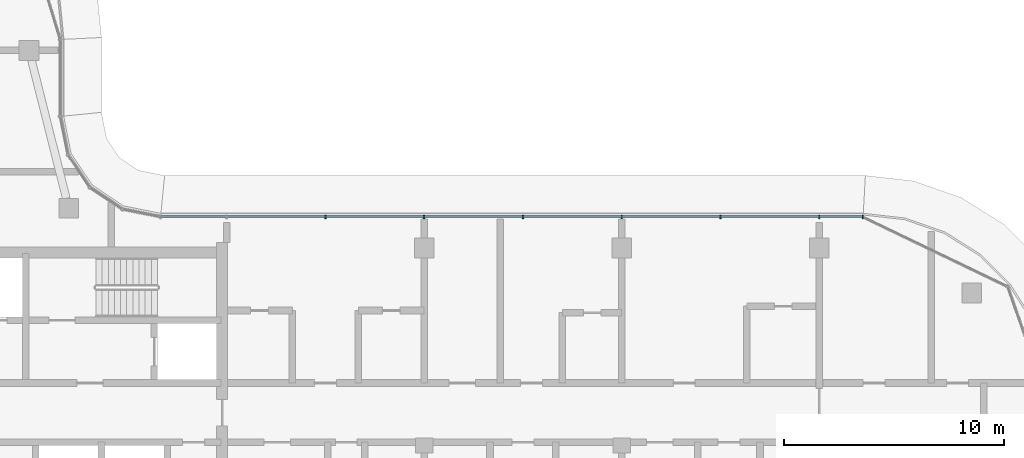
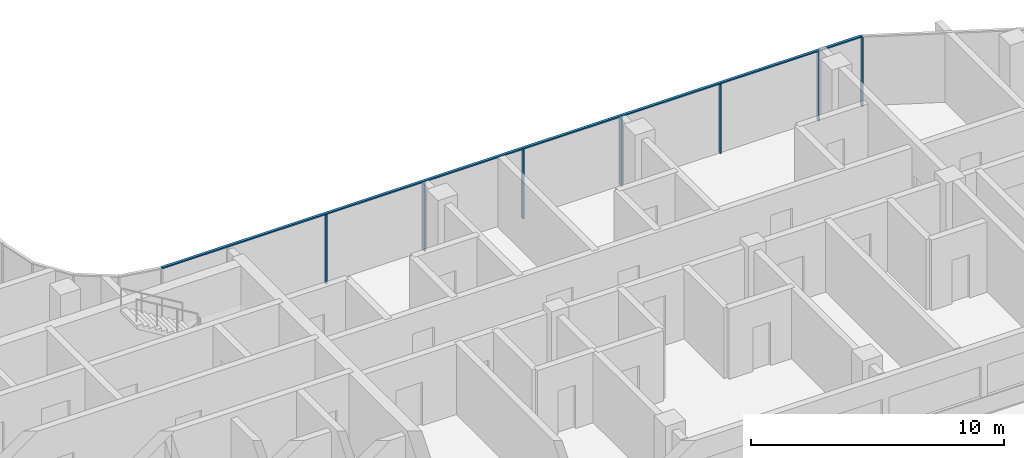
# One storey, part 4 of 21: 8 members, 1 element without a shape of its own.
"""IFC4 building model written with IfcOpenShell, lengths in metres."""

import ifcopenshell
import ifcopenshell.guid

model = None  # the IFC model being written
_history = None  # IfcOwnerHistory: only IFC2X3 demands one
_inside = {}  # id of a spatial element -> (the spatial element, [elements in it])
_under = {}  # id of a project, library or spatial element -> (it, [spatial elements below it])
_declared = {}  # id of a project -> (the project, [libraries it declares])
_typed = {}  # id of a type object -> (the type object, [elements of that type])
_made_of = {}  # id of a material, layer set ... -> (it, [elements and type objects made of it])


def new_model(schema):
    """Start an empty IFC model of exactly this schema.

    Asked for "IFC4X3", IfcOpenShell would pick the latest addendum, in which some entities
    have other attributes; the version numbers below select the first issue.
    IFC2X3 requires an IfcOwnerHistory on every rooted entity: one is made here for all.
    """
    global model, _history
    if schema == "IFC4X3":
        model = ifcopenshell.file(schema_version=(4, 3, 0, 0))
    else:
        model = ifcopenshell.file(schema=schema)
    _inside.clear()
    _under.clear()
    _declared.clear()
    _typed.clear()
    _made_of.clear()
    _history = None
    if model.schema == "IFC2X3":
        org = make("IfcOrganization", Name="unknown")
        user = make(
            "IfcPersonAndOrganization",
            ThePerson=make("IfcPerson", FamilyName="unknown"),
            TheOrganization=org,
        )
        app = make(
            "IfcApplication",
            ApplicationDeveloper=org,
            Version="unknown",
            ApplicationFullName="unknown",
            ApplicationIdentifier="unknown",
        )
        _history = make(
            "IfcOwnerHistory",
            OwningUser=user,
            OwningApplication=app,
            ChangeAction="ADDED",
            CreationDate=0,
        )
    return model


def make(cls, **values):
    """One entity of the class cls with the attributes given. An attribute that is None is left unset."""
    return model.create_entity(
        cls, **{name: value for name, value in values.items() if value is not None}
    )


def rooted(cls, **values):
    """An entity with a GlobalId (a new one), such as an element, a storey or a relation."""
    return make(cls, GlobalId=ifcopenshell.guid.new(), OwnerHistory=_history, **values)


def si_unit(unit_type, name, prefix=None):
    """IfcSIUnit, for example si_unit("LENGTHUNIT", "METRE", prefix="MILLI")."""
    return make("IfcSIUnit", UnitType=unit_type, Prefix=prefix, Name=name)


def assignment(units):
    """IfcUnitAssignment: the units of a project."""
    return None if units is None else make("IfcUnitAssignment", Units=units)


def point(xyz):
    """IfcCartesianPoint."""
    return None if xyz is None else make("IfcCartesianPoint", Coordinates=xyz)


def direction(xyz):
    """IfcDirection."""
    return None if xyz is None else make("IfcDirection", DirectionRatios=xyz)


def frame(location, z_axis=None, x_axis=None):
    """IfcAxis2Placement3D, a coordinate frame: its origin and axes. An axis left out is left unset."""
    return make(
        "IfcAxis2Placement3D",
        Location=point(location),
        Axis=direction(z_axis),
        RefDirection=direction(x_axis),
    )


def frame_2d(location, x_axis=None):
    """IfcAxis2Placement2D, a coordinate frame in the plane: its origin and x axis."""
    return make(
        "IfcAxis2Placement2D", Location=point(location), RefDirection=direction(x_axis)
    )


def origin():
    """The frame at (0, 0, 0) with its axes left unset."""
    return frame((0.0, 0.0, 0.0))


def origin_2d():
    """The frame at (0, 0) in the plane with its x axis left unset."""
    return frame_2d((0.0, 0.0))


def place(relative_to, where):
    """IfcLocalPlacement: puts the frame where relative to a parent placement (None: the world)."""
    return make(
        "IfcLocalPlacement", PlacementRelTo=relative_to, RelativePlacement=where
    )


def context(
    kind, dimensions, precision=None, world=None, true_north=None, identifier=None
):
    """IfcGeometricRepresentationContext, for example the 3D "Model" context."""
    return make(
        "IfcGeometricRepresentationContext",
        ContextIdentifier=identifier,
        ContextType=kind,
        CoordinateSpaceDimension=dimensions,
        Precision=precision,
        WorldCoordinateSystem=world,
        TrueNorth=true_north,
    )


def subcontext(parent, identifier, kind, view, scale=None):
    """IfcGeometricRepresentationSubContext, for example "Body" below "Model"."""
    return make(
        "IfcGeometricRepresentationSubContext",
        ContextIdentifier=identifier,
        ContextType=kind,
        ParentContext=parent,
        TargetScale=scale,
        TargetView=view,
    )


def project(units=None, contexts=None):
    """IfcProject with its units and contexts."""
    return rooted(
        "IfcProject",
        Name="project",
        RepresentationContexts=contexts,
        UnitsInContext=assignment(units),
    )


def spatial(cls, under=None, at=None, **own):
    """A site, building, storey or space (cls), placed at a placement, below another one or the project."""
    s = rooted(cls, ObjectPlacement=at, **own)
    if under is not None:
        _under.setdefault(under.id(), (under, []))[1].append(s)
    return s


def profile(cls, at=None, kind="AREA", **sizes):
    """A parametric profile (cls). Its sizes go by their IFC names, for example OverallWidth=200.0."""
    return make(cls, ProfileType=kind, Position=at, **sizes)


def rectangle(**sizes):
    """IfcRectangleProfileDef."""
    return profile("IfcRectangleProfileDef", **sizes)


def extrude(swept, where, along, depth):
    """IfcExtrudedAreaSolid: the profile swept, set in the frame where, extruded along a direction by depth."""
    return make(
        "IfcExtrudedAreaSolid",
        SweptArea=swept,
        Position=where,
        ExtrudedDirection=direction(along),
        Depth=depth,
    )


def shape(context_of_items, identifier, shape_type, items):
    """IfcShapeRepresentation: the items that make up one representation, for example the "Body"."""
    return make(
        "IfcShapeRepresentation",
        ContextOfItems=context_of_items,
        RepresentationIdentifier=identifier,
        RepresentationType=shape_type,
        Items=items,
    )


def material(Name=None, Category=None):
    """IfcMaterial."""
    return make("IfcMaterial", Name=Name, Category=Category)


def material_profile(
    of_material, cross_section, Name=None, Category=None, Priority=None
):
    """IfcMaterialProfile: a cross section and its material."""
    return make(
        "IfcMaterialProfile",
        Name=Name,
        Material=of_material,
        Profile=cross_section,
        Priority=Priority,
        Category=Category,
    )


def profile_set(profiles, Name=None, composite=None):
    """IfcMaterialProfileSet."""
    return make(
        "IfcMaterialProfileSet",
        Name=Name,
        MaterialProfiles=profiles,
        CompositeProfile=composite,
    )


def made_of(thing, what):
    """Note that an element or type object is made of a material, layer set ...; save() writes the relation."""
    if what is not None:
        _made_of.setdefault(what.id(), (what, []))[1].append(thing)
    return thing


def type_object(cls, material=None, **own):
    """A type object (cls), such as IfcWallType, which elements share."""
    return made_of(rooted(cls, **own), material)


def element(
    cls,
    number,
    at=None,
    inside=None,
    cuts=None,
    type_object=None,
    material=None,
    context=None,
    identifier="Body",
    shape_type=None,
    held_by="IfcProductDefinitionShape",
    body=None,
    shapes=None,
    **own,
):
    """One element of the class cls, such as IfcWall. Its Tag is "e" and its number.

    at: its placement. inside: the storey or other place that contains it. cuts: it is an
    opening in that element (IfcRelVoidsElement). A single representation is given by context,
    identifier, shape_type and body (its items); several are given by shapes. held_by: the class
    of the entity that holds the representations. save() writes the other relations.
    """
    e = rooted(cls, Tag="e%d" % number, ObjectPlacement=at, **own)
    if body is not None:
        shapes = [shape(context, identifier, shape_type, body)]
    if shapes is not None:
        e.Representation = make(held_by, Representations=shapes)
    if inside is not None:
        _inside.setdefault(inside.id(), (inside, []))[1].append(e)
    if cuts is not None:
        rooted(
            "IfcRelVoidsElement", RelatingBuildingElement=cuts, RelatedOpeningElement=e
        )
    if type_object is not None:
        _typed.setdefault(type_object.id(), (type_object, []))[1].append(e)
    return made_of(e, material)


def aggregate(whole, parts):
    """IfcRelAggregates: a whole, such as a stair, and the parts it consists of."""
    return rooted("IfcRelAggregates", RelatingObject=whole, RelatedObjects=parts)


def save(model, path):
    """Write the relations noted so far, then the file.

    IfcRelAggregates (storeys below a building ...), IfcRelContainedInSpatialStructure (elements
    in a storey), IfcRelDefinesByType, IfcRelAssociatesMaterial and IfcRelDeclares: one each for
    every whole, place, type object, material and project.
    """
    for whole, parts in _under.values():
        aggregate(whole, parts)
    for where, things in _inside.values():
        rooted(
            "IfcRelContainedInSpatialStructure",
            RelatedElements=things,
            RelatingStructure=where,
        )
    for kind, things in _typed.values():
        rooted("IfcRelDefinesByType", RelatedObjects=things, RelatingType=kind)
    for what, things in _made_of.values():
        rooted("IfcRelAssociatesMaterial", RelatedObjects=things, RelatingMaterial=what)
    for by, libraries in _declared.values():
        rooted("IfcRelDeclares", RelatingContext=by, RelatedDefinitions=libraries)
    model.write(path)


model = new_model("IFC4")

# Units and contexts
model_context = context("Model", 3, precision=1e-05, world=origin(), true_north=direction((0.0, 1.0)))
body_context = subcontext(model_context, "Body", "Model", "MODEL_VIEW")
ifc_project = project(units=[si_unit("LENGTHUNIT", "METRE"), si_unit("AREAUNIT", "SQUARE_METRE"), si_unit("VOLUMEUNIT", "CUBIC_METRE"), si_unit("PLANEANGLEUNIT", "RADIAN"), si_unit("MASSUNIT", "GRAM", prefix="KILO")], contexts=[model_context])

# Site, building, storey
site_placement = place(None, origin())
site = spatial("IfcSite", under=ifc_project, at=site_placement, CompositionType="ELEMENT")
building_placement = place(site_placement, origin())
building = spatial("IfcBuilding", under=site, at=building_placement, Name="Ogive Portal Towers", CompositionType="ELEMENT")
storey_placement = place(building_placement, frame((0.0, 0.0, 225.39990234375)))
storey = spatial("IfcBuildingStorey", under=building, at=storey_placement, Name="L56", CompositionType="ELEMENT", Elevation=225.39990234375)

# Curtain wall, members
ifc_material_1 = material(Name="Glass, clear low-iron insulated glazing", Category="glass")
curtain_wall_type = type_object("IfcCurtainWallType", Name="CW FRONT RIBBON 4500", PredefinedType="NOTDEFINED", material=ifc_material_1)
curtain_wall_placement = place(storey_placement, origin())
curtain_wall = element("IfcCurtainWall", 1, at=curtain_wall_placement, inside=storey, type_object=curtain_wall_type, Name="A:L56:f12:cw0", PredefinedType="NOTDEFINED")
ifc_material_2 = material(Name="Aluminium 6063 anodised", Category="aluminium")
ifc_material_profile_1 = material_profile(ifc_material_2, rectangle(XDim=0.159912109375, YDim=0.06005859375, at=origin_2d()), Name="AL 60x160")
ifc_profile_set_1 = profile_set([ifc_material_profile_1], Name="Aluminium 6063 anodised")
member_type_1 = type_object("IfcMemberType", Name="CW MULLION 60x160", PredefinedType="MULLION", material=ifc_profile_set_1)
member_1_placement = place(storey_placement, frame((87.481689453125, 40.919921875, 0.0), z_axis=(0.0, 0.0, 1.0), x_axis=(0.0, -1.0, 0.0)))
member_1 = element("IfcMember", 2, at=member_1_placement, type_object=member_type_1, Name="mullion", PredefinedType="MULLION", context=body_context, shape_type="SweptSolid", body=[
    extrude(rectangle(XDim=0.159912109375, YDim=0.06005859375, at=origin_2d()), origin(), (0.0, 0.0, 1.0), 3.340087890625),
])
member_2_placement = place(storey_placement, frame((85.5, 40.919921875, 0.0), z_axis=(0.0, 0.0, 1.0), x_axis=(0.0, -1.0, 0.0)))
member_2 = element("IfcMember", 3, at=member_2_placement, type_object=member_type_1, Name="mullion", PredefinedType="MULLION", context=body_context, shape_type="SweptSolid", body=[
    extrude(rectangle(XDim=0.159912109375, YDim=0.06005859375, at=origin_2d()), origin(), (0.0, 0.0, 1.0), 3.340087890625),
])
member_3_placement = place(storey_placement, frame((81.0, 40.919921875, 0.0), z_axis=(0.0, 0.0, 1.0), x_axis=(0.0, -1.0, 0.0)))
member_3 = element("IfcMember", 4, at=member_3_placement, type_object=member_type_1, Name="mullion", PredefinedType="MULLION", context=body_context, shape_type="SweptSolid", body=[
    extrude(rectangle(XDim=0.159912109375, YDim=0.06005859375, at=origin_2d()), origin(), (0.0, 0.0, 1.0), 3.340087890625),
])
member_4_placement = place(storey_placement, frame((76.5, 40.919921875, 0.0), z_axis=(0.0, 0.0, 1.0), x_axis=(0.0, -1.0, 0.0)))
member_4 = element("IfcMember", 5, at=member_4_placement, type_object=member_type_1, Name="mullion", PredefinedType="MULLION", context=body_context, shape_type="SweptSolid", body=[
    extrude(rectangle(XDim=0.159912109375, YDim=0.06005859375, at=origin_2d()), origin(), (0.0, 0.0, 1.0), 3.340087890625),
])
member_5_placement = place(storey_placement, frame((72.0, 40.919921875, 0.0), z_axis=(0.0, 0.0, 1.0), x_axis=(0.0, -1.0, 0.0)))
member_5 = element("IfcMember", 6, at=member_5_placement, type_object=member_type_1, Name="mullion", PredefinedType="MULLION", context=body_context, shape_type="SweptSolid", body=[
    extrude(rectangle(XDim=0.159912109375, YDim=0.06005859375, at=origin_2d()), origin(), (0.0, 0.0, 1.0), 3.340087890625),
])
member_6_placement = place(storey_placement, frame((67.5, 40.919921875, 0.0), z_axis=(0.0, 0.0, 1.0), x_axis=(0.0, -1.0, 0.0)))
member_6 = element("IfcMember", 7, at=member_6_placement, type_object=member_type_1, Name="mullion", PredefinedType="MULLION", context=body_context, shape_type="SweptSolid", body=[
    extrude(rectangle(XDim=0.159912109375, YDim=0.06005859375, at=origin_2d()), origin(), (0.0, 0.0, 1.0), 3.340087890625),
])
member_7_placement = place(storey_placement, frame((63.0, 40.919921875, 0.0), z_axis=(0.0, 0.0, 1.0), x_axis=(0.0, -1.0, 0.0)))
member_7 = element("IfcMember", 8, at=member_7_placement, type_object=member_type_1, Name="mullion", PredefinedType="MULLION", context=body_context, shape_type="SweptSolid", body=[
    extrude(rectangle(XDim=0.159912109375, YDim=0.06005859375, at=origin_2d()), origin(), (0.0, 0.0, 1.0), 3.340087890625),
])
ifc_material_profile_2 = material_profile(ifc_material_2, rectangle(XDim=0.1201171875, YDim=0.06005859375, at=origin_2d()), Name="AL 120x60")
ifc_profile_set_2 = profile_set([ifc_material_profile_2], Name="Aluminium 6063 anodised")
member_type_2 = type_object("IfcMemberType", Name="CW TRANSOM 60x120", PredefinedType="USERDEFINED", material=ifc_profile_set_2)
member_8_placement = place(storey_placement, frame((87.481689453125, 40.919921875, 3.3701171875), z_axis=(-1.0, 0.0, 0.0), x_axis=(0.0, -1.0, 0.0)))
member_8 = element("IfcMember", 9, at=member_8_placement, type_object=member_type_2, Name="transom", ObjectType="TRANSOM", PredefinedType="USERDEFINED", context=body_context, shape_type="SweptSolid", body=[
    extrude(rectangle(XDim=0.1201171875, YDim=0.06005859375, at=origin_2d()), origin(), (0.0, 0.0, 1.0), 31.989501953125),
])
aggregate(curtain_wall, [member_8, member_1, member_2, member_3, member_4, member_5, member_6, member_7])

save(model, "model.ifc")
